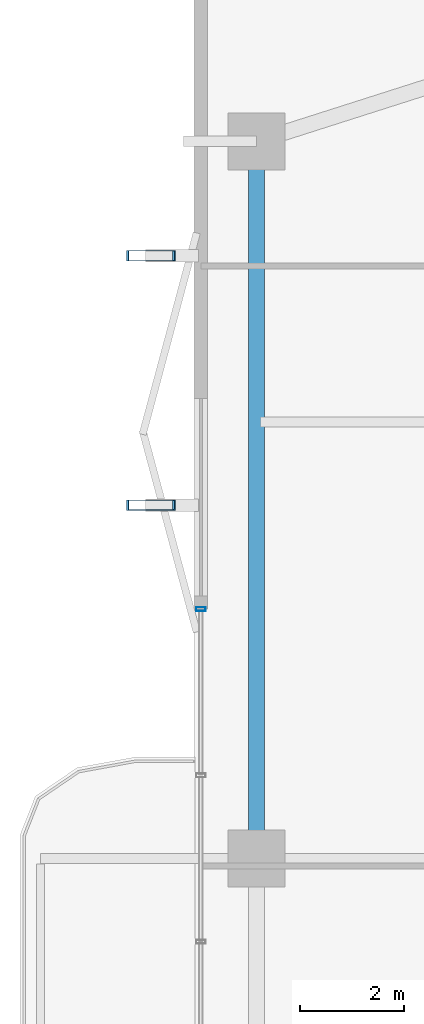
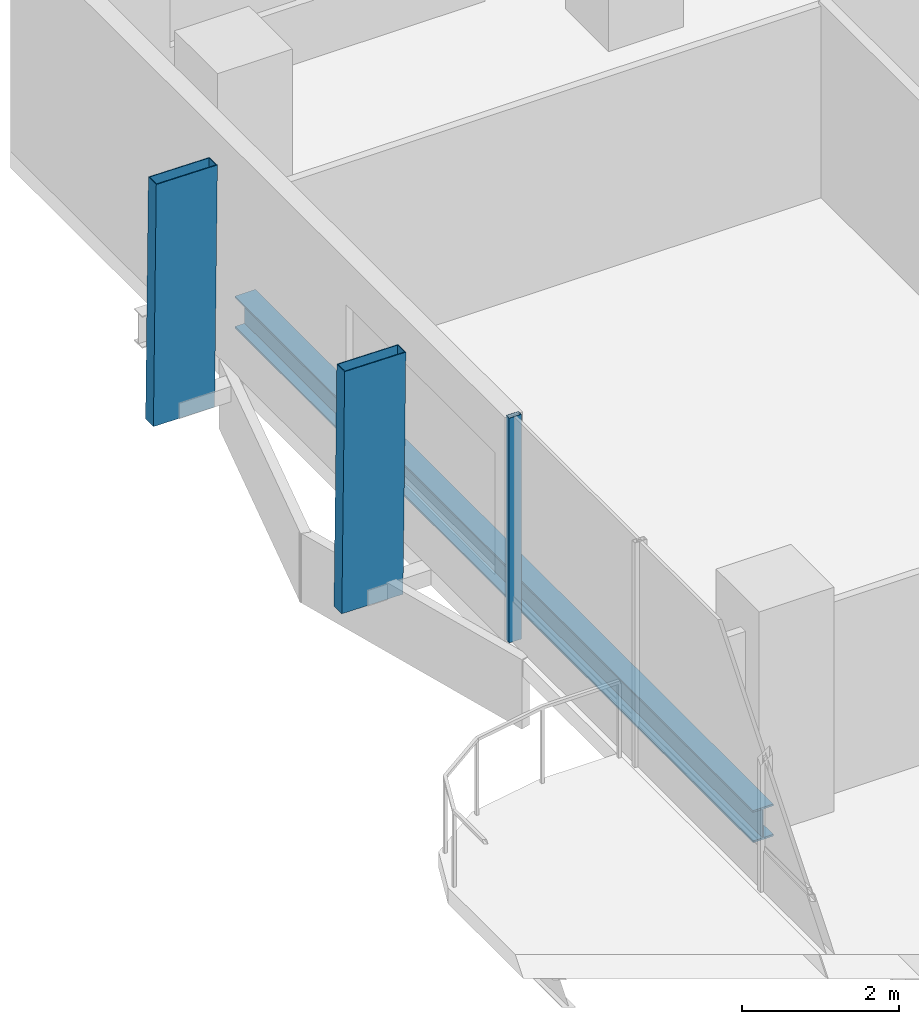
# One storey, part 11 of 24: 3 members, 1 beam, 1 element without a shape of its own.
"""IFC4 building model written with IfcOpenShell, lengths in metres."""

from ifc_helpers import new_model, si_unit, direction, frame, origin, origin_2d, place, context, subcontext, project, spatial, hollow_rectangle, i_section, extrude, material, layer, layer_set, material_profile, profile_set, type_object, element, aggregate, save


model = new_model("IFC4")

# Units and contexts
model_context = context("Model", 3, precision=1e-05, world=origin(), true_north=direction((0.0, 1.0)))
body_context = subcontext(model_context, "Body", "Model", "MODEL_VIEW")
ifc_project = project(units=[si_unit("LENGTHUNIT", "METRE"), si_unit("AREAUNIT", "SQUARE_METRE"), si_unit("VOLUMEUNIT", "CUBIC_METRE"), si_unit("PLANEANGLEUNIT", "RADIAN"), si_unit("MASSUNIT", "GRAM", prefix="KILO")], contexts=[model_context])

# Site, building, storey
site_placement = place(None, origin())
site = spatial("IfcSite", under=ifc_project, at=site_placement, CompositionType="ELEMENT")
building_placement = place(site_placement, origin())
building = spatial("IfcBuilding", under=site, at=building_placement, Name="Belovzor Exchange Tower", CompositionType="ELEMENT")
storey_placement = place(building_placement, frame((0.0, 0.0, 179.550048828125)))
storey = spatial("IfcBuildingStorey", under=building, at=storey_placement, Name="L44", CompositionType="ELEMENT", Elevation=179.550048828125)

# Members
ifc_material_1 = material(Name="Extruded Architectural Terracotta on Steel S355 Carrier", Category="masonry")
ifc_material_profile_1 = material_profile(ifc_material_1, hollow_rectangle(XDim=0.199951171875, YDim=0.89990234375, WallThickness=0.011962890625, at=origin_2d()))
ifc_profile_set_1 = profile_set([ifc_material_profile_1], Name="Extruded Architectural Terracotta on Steel S355 Carrier")
member_type_1 = type_object("IfcMemberType", Name="Sweeping Terracotta Baguette Fin Assembly 1250", PredefinedType="USERDEFINED", material=ifc_profile_set_1)
for number, where, z_axis, x_axis, name in (
    (1, (3.64697265625, 35.60009765625, -0.255126953125), (0.011197214661, 0.0, 0.999937309227), (0.0, 1.0, 0.0), "FIN-TC125 Terracotta Facade Fin L44 W3"),
    (2, (3.64697265625, 40.39990234375, -0.255126953125), (0.011197214661, 0.0, 0.999937309227), (0.0, 1.0, 0.0), "FIN-TC125 Terracotta Facade Fin L44 W4"),
):
    element("IfcMember", number, at=place(storey_placement, frame(where, z_axis=z_axis, x_axis=x_axis)), inside=storey, type_object=member_type_1, Name=name, ObjectType="FIN", PredefinedType="USERDEFINED", context=body_context, shape_type="SweptSolid", body=[
        extrude(hollow_rectangle(XDim=0.199951171875, YDim=0.89990234375, WallThickness=0.011962890625, at=origin_2d()), origin(), (0.0, 0.0, 1.0), 3.750244140625),
    ])

# Curtain wall, member
ifc_material_2 = material(Name="Anodised Aluminium Framing", Category="aluminium")
ifc_layer = layer(ifc_material_2, 0.179931640625)
ifc_layer_set = layer_set([ifc_layer], Name="Anodised Aluminium Framing")
curtain_wall_type = type_object("IfcCurtainWallType", Name="Recessed Loggia Low-Iron Triple-Glazed Curtain Wall", PredefinedType="NOTDEFINED", material=ifc_layer_set)
curtain_wall_placement = place(storey_placement, origin())
curtain_wall = element("IfcCurtainWall", 3, at=curtain_wall_placement, inside=storey, type_object=curtain_wall_type, Name="CW3 Recessed Loggia Low-Iron Triple-Glazed Curtain Wall L44", PredefinedType="NOTDEFINED")
ifc_material_3 = material(Name="Steel S355", Category="steel")
ifc_material_profile_2 = material_profile(ifc_material_3, hollow_rectangle(XDim=0.074951171875, YDim=0.179931640625, WallThickness=0.0048828125, at=origin_2d()))
ifc_profile_set_2 = profile_set([ifc_material_profile_2], Name="Steel S355")
member_type_2 = type_object("IfcMemberType", Name="Thermally Broken Curtain Wall Mullion 180x75", PredefinedType="MULLION", material=ifc_profile_set_2)
member_placement = place(storey_placement, frame((4.6298828125, 33.60009765625, 0.0), z_axis=(0.0, 0.0, 1.0), x_axis=(0.0, 1.0, 0.0)))
member = element("IfcMember", 4, at=member_placement, type_object=member_type_2, Name="CW-M180 Curtain Wall Mullion 4", PredefinedType="MULLION", context=body_context, shape_type="SweptSolid", body=[
    extrude(hollow_rectangle(XDim=0.074951171875, YDim=0.179931640625, WallThickness=0.0048828125, at=origin_2d()), origin(), (0.0, 0.0, 1.0), 3.494873046875),
])
aggregate(curtain_wall, [member])

# Beam
ifc_material_4 = material(Name="Steel S355", Category="steel")
ifc_material_profile_3 = material_profile(ifc_material_4, i_section(OverallWidth=0.300048828125, OverallDepth=0.5, WebThickness=0.014404296875, FlangeThickness=0.028076171875, at=origin_2d()))
ifc_profile_set_3 = profile_set([ifc_material_profile_3], Name="Steel S355")
beam_type = type_object("IfcBeamType", Name="Zone 3 Waist Primary Girder HEB 500", PredefinedType="BEAM", material=ifc_profile_set_3)
beam_placement = place(storey_placement, frame((5.699951171875, 42.297119140625, -0.505126953125), z_axis=(0.0, -1.0, 0.0), x_axis=(1.0, 0.0, 0.0)))
element("IfcBeam", 5, at=beam_placement, inside=storey, type_object=beam_type, Name="FG-Z3 Zone 3 Waist Primary Girder HEB 500", PredefinedType="BEAM", context=body_context, shape_type="SweptSolid", body=[
    extrude(i_section(OverallWidth=0.300048828125, OverallDepth=0.5, WebThickness=0.014404296875, FlangeThickness=0.028076171875, at=origin_2d()), origin(), (0.0, 0.0, 1.0), 13.195068359375),
])

save(model, "model.ifc")
